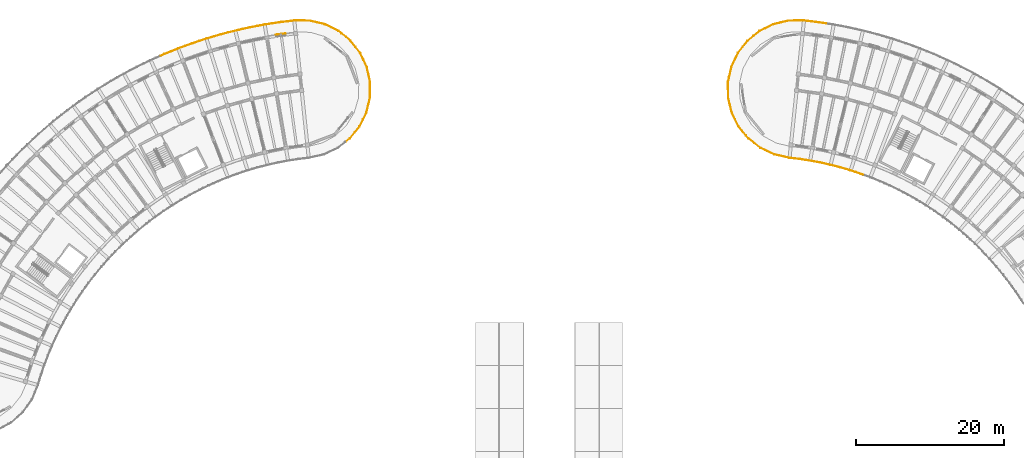
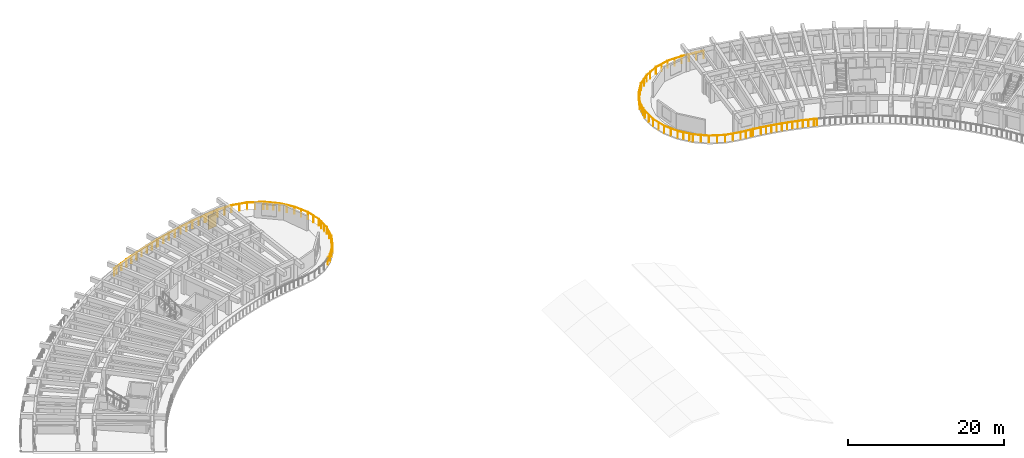
# One storey, part 87 of 96: 10 railings, 1 shading device.
"""IFC4 building model written with IfcOpenShell, lengths in metres."""

from ifc_helpers import new_model, si_unit, direction, frame, origin, origin_2d, place, context, subcontext, project, spatial, rectangle, circle, extrude, material, layer, layer_set, type_object, element, save


model = new_model("IFC4")

# Units and contexts
model_context = context("Model", 3, precision=1e-05, world=origin(), true_north=direction((0.0, 1.0)))
body_context = subcontext(model_context, "Body", "Model", "MODEL_VIEW")
ifc_project = project(units=[si_unit("LENGTHUNIT", "METRE"), si_unit("AREAUNIT", "SQUARE_METRE"), si_unit("VOLUMEUNIT", "CUBIC_METRE"), si_unit("PLANEANGLEUNIT", "RADIAN"), si_unit("MASSUNIT", "GRAM", prefix="KILO")], contexts=[model_context])

# Site, building, storey
site_placement = place(None, origin())
site = spatial("IfcSite", under=ifc_project, at=site_placement, CompositionType="ELEMENT")
building_placement = place(site_placement, origin())
building = spatial("IfcBuilding", under=site, at=building_placement, Name="Tanwirah Colonnade Gardens", CompositionType="ELEMENT")
storey_placement = place(building_placement, frame((0.0, 0.0, 12.199951171875)))
storey = spatial("IfcBuildingStorey", under=building, at=storey_placement, Name="L03", CompositionType="ELEMENT", Elevation=12.199951171875)

# Railings
ifc_material_1 = material(Name="Precast concrete C40/50", Category="concrete")
railing_type = type_object("IfcRailingType", Name="BAL-EXT112", PredefinedType="BALUSTRADE", material=ifc_material_1)
railing_1_placement = place(storey_placement, frame((40.5517578125, 116.428466796875, 0.0)))
element("IfcRailing", 1, at=railing_1_placement, inside=storey, type_object=railing_type, Name="Block A L03 Balcony Ribbon Balustrade 17", PredefinedType="BALUSTRADE", context=body_context, shape_type="SweptSolid", body=[
    extrude(circle(Radius=0.02392578125, at=origin_2d()), frame((0.028564453125, 0.0126953125, 1.09619140625), z_axis=(0.914037447664, 0.405629811857, 0.0), x_axis=(-0.405629811857, 0.914037447664, 0.0)), (0.0, 0.0, 1.0), 0.471923828125),
    extrude(circle(Radius=0.02392578125, at=origin_2d()), frame((0.517578125, 0.228515625, 1.09619140625), z_axis=(0.926784720453, 0.375592973757, 0.0), x_axis=(-0.375592973757, 0.926784720453, 0.0)), (0.0, 0.0, 1.0), 1.958984375),
    extrude(circle(Radius=0.02392578125, at=origin_2d()), frame((2.391357421875, 0.98681640625, 1.09619140625), z_axis=(0.938723993457, 0.344669789956, 0.0), x_axis=(-0.344669789956, 0.938723993457, 0.0)), (0.0, 0.0, 1.0), 1.958984375),
    extrude(circle(Radius=0.02392578125, at=origin_2d()), frame((4.28955078125, 1.6826171875, 1.09619140625), z_axis=(0.949537316482, 0.313654084317, 0.0), x_axis=(-0.313654084317, 0.949537316482, 0.0)), (0.0, 0.0, 1.0), 1.958984375),
    extrude(circle(Radius=0.02392578125, at=origin_2d()), frame((6.209228515625, 2.315673828125, 1.09619140625), z_axis=(0.9593675466, 0.282159370801, 0.0), x_axis=(-0.282159370801, 0.9593675466, 0.0)), (0.0, 0.0, 1.0), 1.83837890625),
    extrude(circle(Radius=0.02099609375, at=origin_2d()), origin(), (0.0, 0.0, 1.0), 1.069091796875),
    extrude(circle(Radius=0.02099609375, at=origin_2d()), frame((0.488525390625, 0.216796875, 0.0)), (0.0, 0.0, 1.0), 1.069091796875),
    extrude(circle(Radius=0.02099609375, at=origin_2d()), frame((1.42529296875, 0.596435546875, 0.0)), (0.0, 0.0, 1.0), 1.069091796875),
    extrude(circle(Radius=0.02099609375, at=origin_2d()), frame((2.362060546875, 0.97607421875, 0.0)), (0.0, 0.0, 1.0), 1.069091796875),
    extrude(circle(Radius=0.02099609375, at=origin_2d()), frame((3.31103515625, 1.324462890625, 0.0)), (0.0, 0.0, 1.0), 1.069091796875),
    extrude(circle(Radius=0.02099609375, at=origin_2d()), frame((4.259765625, 1.6728515625, 0.0)), (0.0, 0.0, 1.0), 1.069091796875),
    extrude(circle(Radius=0.02099609375, at=origin_2d()), frame((5.219482421875, 1.98974609375, 0.0)), (0.0, 0.0, 1.0), 1.069091796875),
    extrude(circle(Radius=0.02099609375, at=origin_2d()), frame((6.17919921875, 2.306884765625, 0.0)), (0.0, 0.0, 1.0), 1.069091796875),
    extrude(circle(Radius=0.02099609375, at=origin_2d()), frame((7.091064453125, 2.5751953125, 0.0)), (0.0, 0.0, 1.0), 1.069091796875),
    extrude(circle(Radius=0.02099609375, at=origin_2d()), frame((8.0029296875, 2.84326171875, 0.0)), (0.0, 0.0, 1.0), 1.069091796875),
])
railing_2_placement = place(storey_placement, frame((48.5546875, 119.271728515625, 0.0)))
element("IfcRailing", 2, at=railing_2_placement, inside=storey, type_object=railing_type, Name="Block A L03 Balcony Ribbon Balustrade 18", PredefinedType="BALUSTRADE", context=body_context, shape_type="SweptSolid", body=[
    extrude(circle(Radius=0.02392578125, at=origin_2d()), frame((0.030029296875, 0.0087890625, 1.09619140625), z_axis=(0.959430074946, 0.281946681644, 0.0), x_axis=(-0.281946681644, 0.959430074946, 0.0)), (0.0, 0.0, 1.0), 0.057861328125),
    extrude(circle(Radius=0.02392578125, at=origin_2d()), frame((0.145751953125, 0.041748046875, 1.09619140625), z_axis=(0.968157509899, 0.250341838346, 0.0), x_axis=(-0.250341838346, 0.968157509899, 0.0)), (0.0, 0.0, 1.0), 1.959228515625),
    extrude(circle(Radius=0.02392578125, at=origin_2d()), frame((2.103271484375, 0.546875, 1.09619140625), z_axis=(0.975867729966, 0.218362482151, 0.0), x_axis=(-0.218362482151, 0.975867729966, 0.0)), (0.0, 0.0, 1.0), 1.958984375),
    extrude(circle(Radius=0.02392578125, at=origin_2d()), frame((4.076171875, 0.9873046875, 1.09619140625), z_axis=(0.982549371225, 0.186001970705, 0.0), x_axis=(-0.186001970705, 0.982549371225, 0.0)), (0.0, 0.0, 1.0), 1.958740234375),
    extrude(circle(Radius=0.02392578125, at=origin_2d()), frame((6.0625, 1.3623046875, 1.09619140625), z_axis=(0.988130323653, 0.153617913919, 0.0), x_axis=(-0.153617913919, 0.988130323653, 0.0)), (0.0, 0.0, 1.0), 1.958984375),
    extrude(circle(Radius=0.02392578125, at=origin_2d()), frame((8.06005859375, 1.671630859375, 1.09619140625), z_axis=(0.992706670136, 0.120554830125, 0.0), x_axis=(-0.120554830125, 0.992706670136, 0.0)), (0.0, 0.0, 1.0), 0.231201171875),
    extrude(circle(Radius=0.02099609375, at=origin_2d()), origin(), (0.0, 0.0, 1.0), 1.069091796875),
    extrude(circle(Radius=0.02099609375, at=origin_2d()), frame((0.115478515625, 0.033935546875, 0.0)), (0.0, 0.0, 1.0), 1.069091796875),
    extrude(circle(Radius=0.02099609375, at=origin_2d()), frame((1.09423828125, 0.287109375, 0.0)), (0.0, 0.0, 1.0), 1.069091796875),
    extrude(circle(Radius=0.02099609375, at=origin_2d()), frame((2.07275390625, 0.5400390625, 0.0)), (0.0, 0.0, 1.0), 1.069091796875),
    extrude(circle(Radius=0.02099609375, at=origin_2d()), frame((3.05908203125, 0.7607421875, 0.0)), (0.0, 0.0, 1.0), 1.069091796875),
    extrude(circle(Radius=0.02099609375, at=origin_2d()), frame((4.04541015625, 0.9814453125, 0.0)), (0.0, 0.0, 1.0), 1.069091796875),
    extrude(circle(Radius=0.02099609375, at=origin_2d()), frame((5.03857421875, 1.16943359375, 0.0)), (0.0, 0.0, 1.0), 1.069091796875),
    extrude(circle(Radius=0.02099609375, at=origin_2d()), frame((6.031494140625, 1.357421875, 0.0)), (0.0, 0.0, 1.0), 1.069091796875),
    extrude(circle(Radius=0.02099609375, at=origin_2d()), frame((7.0302734375, 1.5126953125, 0.0)), (0.0, 0.0, 1.0), 1.069091796875),
    extrude(circle(Radius=0.02099609375, at=origin_2d()), frame((8.029052734375, 1.66796875, 0.0)), (0.0, 0.0, 1.0), 1.069091796875),
    extrude(circle(Radius=0.02099609375, at=origin_2d()), frame((8.320556640625, 1.703369140625, 0.0)), (0.0, 0.0, 1.0), 1.069091796875),
])
railing_3_placement = place(storey_placement, frame((56.875244140625, 120.97509765625, 0.0)))
element("IfcRailing", 3, at=railing_3_placement, inside=storey, type_object=railing_type, Name="Block A L03 Balcony Ribbon Balustrade 19", PredefinedType="BALUSTRADE", context=body_context, shape_type="SweptSolid", body=[
    extrude(circle(Radius=0.02392578125, at=origin_2d()), frame((0.031005859375, 0.003662109375, 1.09619140625), z_axis=(0.992658739514, 0.120948860543, 0.0), x_axis=(-0.120948860543, 0.992658739514, 0.0)), (0.0, 0.0, 1.0), 1.661376953125),
    extrude(circle(Radius=0.02392578125, at=origin_2d()), frame((1.742431640625, 0.208251953125, 1.09619140625), z_axis=(0.999972077233, -0.00747293472, 0.0), x_axis=(0.00747293472, 0.999972077233, 0.0)), (0.0, 0.0, 1.0), 2.0283203125),
    extrude(circle(Radius=0.02392578125, at=origin_2d()), frame((3.83251953125, 0.185791015625, 1.09619140625), z_axis=(0.973245052386, -0.229769597654, 0.0), x_axis=(0.229769597654, 0.973245052386, 0.0)), (0.0, 0.0, 1.0), 2.0244140625),
    extrude(circle(Radius=0.02392578125, at=origin_2d()), frame((5.861083984375, -0.30029296875, 1.09619140625), z_axis=(0.89767854763, -0.440650910727, 0.0), x_axis=(0.440650910727, 0.89767854763, 0.0)), (0.0, 0.0, 1.0), 2.024658203125),
    extrude(circle(Radius=0.02392578125, at=origin_2d()), frame((7.73095703125, -1.22607421875, 1.09619140625), z_axis=(0.777222634712, -0.62922569567, 0.0), x_axis=(0.62922569567, 0.777222634712, 0.0)), (0.0, 0.0, 1.0), 0.448974609375),
    extrude(circle(Radius=0.02099609375, at=origin_2d()), origin(), (0.0, 0.0, 1.0), 1.069091796875),
    extrude(circle(Radius=0.02099609375, at=origin_2d()), frame((0.85546875, 0.104248046875, 0.0)), (0.0, 0.0, 1.0), 1.069091796875),
    extrude(circle(Radius=0.02099609375, at=origin_2d()), frame((1.711181640625, 0.20849609375, 0.0)), (0.0, 0.0, 1.0), 1.069091796875),
    extrude(circle(Radius=0.02099609375, at=origin_2d()), frame((2.756591796875, 0.20068359375, 0.0)), (0.0, 0.0, 1.0), 1.069091796875),
    extrude(circle(Radius=0.02099609375, at=origin_2d()), frame((3.802001953125, 0.19287109375, 0.0)), (0.0, 0.0, 1.0), 1.069091796875),
    extrude(circle(Radius=0.02099609375, at=origin_2d()), frame((4.8173828125, -0.046875, 0.0)), (0.0, 0.0, 1.0), 1.069091796875),
    extrude(circle(Radius=0.02099609375, at=origin_2d()), frame((5.8330078125, -0.28662109375, 0.0)), (0.0, 0.0, 1.0), 1.069091796875),
    extrude(circle(Radius=0.02099609375, at=origin_2d()), frame((6.769775390625, -0.74658203125, 0.0)), (0.0, 0.0, 1.0), 1.069091796875),
    extrude(circle(Radius=0.02099609375, at=origin_2d()), frame((7.70654296875, -1.206298828125, 0.0)), (0.0, 0.0, 1.0), 1.069091796875),
    extrude(circle(Radius=0.02099609375, at=origin_2d()), frame((8.10400390625, -1.528076171875, 0.0)), (0.0, 0.0, 1.0), 1.069091796875),
])
railing_4_placement = place(storey_placement, frame((64.979248046875, 119.447021484375, 0.0)))
element("IfcRailing", 4, at=railing_4_placement, inside=storey, type_object=railing_type, Name="Block A L03 Balcony Ribbon Balustrade 20", PredefinedType="BALUSTRADE", context=body_context, shape_type="SweptSolid", body=[
    extrude(circle(Radius=0.02392578125, at=origin_2d()), frame((0.0244140625, -0.019775390625, 1.09619140625), z_axis=(0.777151033754, -0.629314127233, 0.0), x_axis=(0.629314127233, 0.777151033754, 0.0)), (0.0, 0.0, 1.0), 1.512939453125),
    extrude(circle(Radius=0.02392578125, at=origin_2d()), frame((1.24365234375, -1.01611328125, 1.09619140625), z_axis=(0.617578689713, -0.786509098493, 0.0), x_axis=(0.786509098493, 0.617578689713, 0.0)), (0.0, 0.0, 1.0), 2.0244140625),
    extrude(circle(Radius=0.02392578125, at=origin_2d()), frame((2.526611328125, -2.6611328125, 1.09619140625), z_axis=(0.427120558346, -0.904194685142, 0.0), x_axis=(0.904194685142, 0.427120558346, 0.0)), (0.0, 0.0, 1.0), 2.0244140625),
    extrude(circle(Radius=0.02392578125, at=origin_2d()), frame((3.411376953125, -4.55029296875, 1.09619140625), z_axis=(0.215270196259, -0.97655452618, 0.0), x_axis=(0.97655452618, 0.215270196259, 0.0)), (0.0, 0.0, 1.0), 2.024169921875),
    extrude(circle(Radius=0.02392578125, at=origin_2d()), frame((3.853515625, -6.5888671875, 1.09619140625), z_axis=(-0.007720358143, -0.999970197591, 0.0), x_axis=(0.999970197591, -0.007720358143, 0.0)), (0.0, 0.0, 1.0), 0.6015625),
    extrude(circle(Radius=0.02099609375, at=origin_2d()), origin(), (0.0, 0.0, 1.0), 1.069091796875),
    extrude(circle(Radius=0.02099609375, at=origin_2d()), frame((0.6123046875, -0.49560546875, 0.0)), (0.0, 0.0, 1.0), 1.069091796875),
    extrude(circle(Radius=0.02099609375, at=origin_2d()), frame((1.224365234375, -0.991455078125, 0.0)), (0.0, 0.0, 1.0), 1.069091796875),
    extrude(circle(Radius=0.02099609375, at=origin_2d()), frame((1.86865234375, -1.81201171875, 0.0)), (0.0, 0.0, 1.0), 1.069091796875),
    extrude(circle(Radius=0.02099609375, at=origin_2d()), frame((2.51318359375, -2.6328125, 0.0)), (0.0, 0.0, 1.0), 1.069091796875),
    extrude(circle(Radius=0.02099609375, at=origin_2d()), frame((2.958984375, -3.576171875, 0.0)), (0.0, 0.0, 1.0), 1.069091796875),
    extrude(circle(Radius=0.02099609375, at=origin_2d()), frame((3.404541015625, -4.519775390625, 0.0)), (0.0, 0.0, 1.0), 1.069091796875),
    extrude(circle(Radius=0.02099609375, at=origin_2d()), frame((3.629150390625, -5.53857421875, 0.0)), (0.0, 0.0, 1.0), 1.069091796875),
    extrude(circle(Radius=0.02099609375, at=origin_2d()), frame((3.853759765625, -6.5576171875, 0.0)), (0.0, 0.0, 1.0), 1.069091796875),
    extrude(circle(Radius=0.02099609375, at=origin_2d()), frame((3.8486328125, -7.2216796875, 0.0)), (0.0, 0.0, 1.0), 1.069091796875),
])
railing_5_placement = place(storey_placement, frame((68.827880859375, 112.225341796875, 0.0)))
element("IfcRailing", 5, at=railing_5_placement, inside=storey, type_object=railing_type, Name="Block A L03 Balcony Ribbon Balustrade 21", PredefinedType="BALUSTRADE", context=body_context, shape_type="SweptSolid", body=[
    extrude(circle(Radius=0.02392578125, at=origin_2d()), frame((-0.000244140625, -0.03125, 1.09619140625), z_axis=(-0.007377973514, -0.999972782383, 0.0), x_axis=(0.999972782383, -0.007377973514, 0.0)), (0.0, 0.0, 1.0), 1.3603515625),
    extrude(circle(Radius=0.02392578125, at=origin_2d()), frame((-0.017578125, -1.453369140625, 1.09619140625), z_axis=(-0.229769597654, -0.973245052386, 0.0), x_axis=(0.973245052386, -0.229769597654, 0.0)), (0.0, 0.0, 1.0), 2.0244140625),
    extrude(circle(Radius=0.02392578125, at=origin_2d()), frame((-0.503662109375, -3.48193359375, 1.09619140625), z_axis=(-0.440650910727, -0.89767854763, 0.0), x_axis=(0.89767854763, -0.440650910727, 0.0)), (0.0, 0.0, 1.0), 2.024658203125),
    extrude(circle(Radius=0.02392578125, at=origin_2d()), frame((-1.429443359375, -5.351806640625, 1.09619140625), z_axis=(-0.629292457571, -0.777168580711, 0.0), x_axis=(0.777168580711, -0.629292457571, 0.0)), (0.0, 0.0, 1.0), 2.0244140625),
    extrude(circle(Radius=0.02392578125, at=origin_2d()), frame((-2.74755859375, -6.968505859375, 1.09619140625), z_axis=(-0.786525843464, -0.617557363784, 0.0), x_axis=(0.617557363784, -0.786525843464, 0.0)), (0.0, 0.0, 1.0), 0.75390625),
    extrude(circle(Radius=0.02099609375, at=origin_2d()), origin(), (0.0, 0.0, 1.0), 1.069091796875),
    extrude(circle(Radius=0.02099609375, at=origin_2d()), frame((-0.00537109375, -0.71142578125, 0.0)), (0.0, 0.0, 1.0), 1.069091796875),
    extrude(circle(Radius=0.02099609375, at=origin_2d()), frame((-0.010498046875, -1.4228515625, 0.0)), (0.0, 0.0, 1.0), 1.069091796875),
    extrude(circle(Radius=0.02099609375, at=origin_2d()), frame((-0.250244140625, -2.4384765625, 0.0)), (0.0, 0.0, 1.0), 1.069091796875),
    extrude(circle(Radius=0.02099609375, at=origin_2d()), frame((-0.489990234375, -3.453857421875, 0.0)), (0.0, 0.0, 1.0), 1.069091796875),
    extrude(circle(Radius=0.02099609375, at=origin_2d()), frame((-0.94970703125, -4.390625, 0.0)), (0.0, 0.0, 1.0), 1.069091796875),
    extrude(circle(Radius=0.02099609375, at=origin_2d()), frame((-1.40966796875, -5.327392578125, 0.0)), (0.0, 0.0, 1.0), 1.069091796875),
    extrude(circle(Radius=0.02099609375, at=origin_2d()), frame((-2.06640625, -6.13818359375, 0.0)), (0.0, 0.0, 1.0), 1.069091796875),
    extrude(circle(Radius=0.02099609375, at=origin_2d()), frame((-2.722900390625, -6.94921875, 0.0)), (0.0, 0.0, 1.0), 1.069091796875),
    extrude(circle(Radius=0.02099609375, at=origin_2d()), frame((-3.364990234375, -7.453369140625, 0.0)), (0.0, 0.0, 1.0), 1.069091796875),
])
railing_6_placement = place(storey_placement, frame((135.417236328125, 100.3662109375, 0.0)))
element("IfcRailing", 6, at=railing_6_placement, inside=storey, type_object=railing_type, Name="Block B L03 Balcony Ribbon Balustrade 6", PredefinedType="BALUSTRADE", context=body_context, shape_type="SweptSolid", body=[
    extrude(circle(Radius=0.02392578125, at=origin_2d()), frame((-0.029296875, 0.0107421875, 1.09619140625), z_axis=(-0.938686381743, 0.344772209916, 0.0), x_axis=(-0.344772209916, -0.938686381743, 0.0)), (0.0, 0.0, 1.0), 0.325439453125),
    extrude(circle(Radius=0.02392578125, at=origin_2d()), frame((-0.396728515625, 0.14453125, 1.09619140625), z_axis=(-0.949531842797, 0.313670654533, 0.0), x_axis=(-0.313670654533, -0.949531842797, 0.0)), (0.0, 0.0, 1.0), 1.341552734375),
    extrude(circle(Radius=0.02392578125, at=origin_2d()), frame((-1.73291015625, 0.584716796875, 1.09619140625), z_axis=(-0.959362733044, 0.282175736812, 0.0), x_axis=(-0.282175736812, -0.959362733044, 0.0)), (0.0, 0.0, 1.0), 1.341796875),
    extrude(circle(Radius=0.02392578125, at=origin_2d()), frame((-3.0830078125, 0.980712890625, 1.09619140625), z_axis=(-0.968157809477, 0.250340679771, 0.0), x_axis=(-0.250340679771, -0.968157809477, 0.0)), (0.0, 0.0, 1.0), 1.341796875),
    extrude(circle(Radius=0.02392578125, at=origin_2d()), frame((-4.4453125, 1.33203125, 1.09619140625), z_axis=(-0.975875211082, 0.218329046156, 0.0), x_axis=(-0.218329046156, -0.975875211082, 0.0)), (0.0, 0.0, 1.0), 1.342041015625),
    extrude(circle(Radius=0.02392578125, at=origin_2d()), frame((-5.818603515625, 1.63818359375, 1.09619140625), z_axis=(-0.982547926195, 0.186009603862, 0.0), x_axis=(-0.186009603862, -0.982547926195, 0.0)), (0.0, 0.0, 1.0), 1.341796875),
    extrude(circle(Radius=0.02392578125, at=origin_2d()), frame((-7.201416015625, 1.89892578125, 1.09619140625), z_axis=(-0.988128738312, 0.153628111108, 0.0), x_axis=(-0.153628111108, -0.988128738312, 0.0)), (0.0, 0.0, 1.0), 1.01171875),
    extrude(circle(Radius=0.02099609375, at=origin_2d()), origin(), (0.0, 0.0, 1.0), 1.069091796875),
    extrude(circle(Radius=0.02099609375, at=origin_2d()), frame((-0.3642578125, 0.1337890625, 0.0)), (0.0, 0.0, 1.0), 1.069091796875),
    extrude(circle(Radius=0.02099609375, at=origin_2d()), frame((-1.03369140625, 0.35498046875, 0.0)), (0.0, 0.0, 1.0), 1.069091796875),
    extrude(circle(Radius=0.02099609375, at=origin_2d()), frame((-1.7001953125, 0.5751953125, 0.0)), (0.0, 0.0, 1.0), 1.069091796875),
    extrude(circle(Radius=0.02099609375, at=origin_2d()), frame((-2.37646484375, 0.77392578125, 0.0)), (0.0, 0.0, 1.0), 1.069091796875),
    extrude(circle(Radius=0.02099609375, at=origin_2d()), frame((-3.050048828125, 0.97216796875, 0.0)), (0.0, 0.0, 1.0), 1.069091796875),
    extrude(circle(Radius=0.02099609375, at=origin_2d()), frame((-3.732421875, 1.148681640625, 0.0)), (0.0, 0.0, 1.0), 1.069091796875),
    extrude(circle(Radius=0.02099609375, at=origin_2d()), frame((-4.412353515625, 1.324462890625, 0.0)), (0.0, 0.0, 1.0), 1.069091796875),
    extrude(circle(Radius=0.02099609375, at=origin_2d()), frame((-5.10009765625, 1.478515625, 0.0)), (0.0, 0.0, 1.0), 1.069091796875),
    extrude(circle(Radius=0.02099609375, at=origin_2d()), frame((-5.785400390625, 1.6318359375, 0.0)), (0.0, 0.0, 1.0), 1.069091796875),
    extrude(circle(Radius=0.02099609375, at=origin_2d()), frame((-6.477783203125, 1.762939453125, 0.0)), (0.0, 0.0, 1.0), 1.069091796875),
    extrude(circle(Radius=0.02099609375, at=origin_2d()), frame((-7.167724609375, 1.8935546875, 0.0)), (0.0, 0.0, 1.0), 1.069091796875),
    extrude(circle(Radius=0.02099609375, at=origin_2d()), frame((-8.23193359375, 2.05908203125, 0.0)), (0.0, 0.0, 1.0), 1.069091796875),
])
railing_7_placement = place(storey_placement, frame((127.185302734375, 102.42529296875, 0.0)))
element("IfcRailing", 7, at=railing_7_placement, inside=storey, type_object=railing_type, Name="Block B L03 Balcony Ribbon Balustrade 7", PredefinedType="BALUSTRADE", context=body_context, shape_type="SweptSolid", body=[
    extrude(circle(Radius=0.02392578125, at=origin_2d()), frame((-0.031005859375, 0.0048828125, 1.09619140625), z_axis=(-0.988208661011, 0.153113168285, 0.0), x_axis=(-0.153113168285, -0.988208661011, 0.0)), (0.0, 0.0, 1.0), 0.267578125),
    extrude(circle(Radius=0.02392578125, at=origin_2d()), frame((-0.359619140625, 0.0546875, 1.09619140625), z_axis=(-0.99267751715, 0.120794647829, 0.0), x_axis=(-0.120794647829, -0.99267751715, 0.0)), (0.0, 0.0, 1.0), 1.338134765625),
    extrude(circle(Radius=0.02392578125, at=origin_2d()), frame((-1.74951171875, 0.22705078125, 1.09619140625), z_axis=(-0.976545428659, 0.215311462222, 0.0), x_axis=(-0.215311462222, -0.976545428659, 0.0)), (0.0, 0.0, 1.0), 2.029541015625),
    extrude(circle(Radius=0.02392578125, at=origin_2d()), frame((-3.790283203125, 0.68408203125, 1.09619140625), z_axis=(-0.904194685142, 0.427120558346, 0.0), x_axis=(-0.427120558346, -0.904194685142, 0.0)), (0.0, 0.0, 1.0), 2.0244140625),
    extrude(circle(Radius=0.02392578125, at=origin_2d()), frame((-5.673583984375, 1.581298828125, 1.09619140625), z_axis=(-0.786509098493, 0.617578689713, 0.0), x_axis=(-0.617578689713, -0.786509098493, 0.0)), (0.0, 0.0, 1.0), 2.0244140625),
    extrude(circle(Radius=0.02392578125, at=origin_2d()), frame((-7.31005859375, 2.875244140625, 1.09619140625), z_axis=(-0.62914215078, 0.777290263744, 0.0), x_axis=(-0.777290263744, -0.62914215078, 0.0)), (0.0, 0.0, 1.0), 0.4384765625),
    extrude(circle(Radius=0.02099609375, at=origin_2d()), origin(), (0.0, 0.0, 1.0), 1.069091796875),
    extrude(circle(Radius=0.02099609375, at=origin_2d()), frame((-0.326171875, 0.050537109375, 0.0)), (0.0, 0.0, 1.0), 1.069091796875),
    extrude(circle(Radius=0.02099609375, at=origin_2d()), frame((-1.02392578125, 0.1357421875, 0.0)), (0.0, 0.0, 1.0), 1.069091796875),
    extrude(circle(Radius=0.02099609375, at=origin_2d()), frame((-1.718994140625, 0.22021484375, 0.0)), (0.0, 0.0, 1.0), 1.069091796875),
    extrude(circle(Radius=0.02099609375, at=origin_2d()), frame((-2.740478515625, 0.4453125, 0.0)), (0.0, 0.0, 1.0), 1.069091796875),
    extrude(circle(Radius=0.02099609375, at=origin_2d()), frame((-3.761962890625, 0.670654296875, 0.0)), (0.0, 0.0, 1.0), 1.069091796875),
    extrude(circle(Radius=0.02099609375, at=origin_2d()), frame((-4.70556640625, 1.1162109375, 0.0)), (0.0, 0.0, 1.0), 1.069091796875),
    extrude(circle(Radius=0.02099609375, at=origin_2d()), frame((-5.64892578125, 1.56201171875, 0.0)), (0.0, 0.0, 1.0), 1.069091796875),
    extrude(circle(Radius=0.02099609375, at=origin_2d()), frame((-6.4697265625, 2.20654296875, 0.0)), (0.0, 0.0, 1.0), 1.069091796875),
    extrude(circle(Radius=0.02099609375, at=origin_2d()), frame((-7.290283203125, 2.850830078125, 0.0)), (0.0, 0.0, 1.0), 1.069091796875),
    extrude(circle(Radius=0.02099609375, at=origin_2d()), frame((-7.60546875, 3.240234375, 0.0)), (0.0, 0.0, 1.0), 1.069091796875),
])
railing_8_placement = place(storey_placement, frame((119.579833984375, 105.66552734375, 0.0)))
element("IfcRailing", 8, at=railing_8_placement, inside=storey, type_object=railing_type, Name="Block B L03 Balcony Ribbon Balustrade 8", PredefinedType="BALUSTRADE", context=body_context, shape_type="SweptSolid", body=[
    extrude(circle(Radius=0.02392578125, at=origin_2d()), frame((-0.019775390625, 0.0244140625, 1.09619140625), z_axis=(-0.629339934839, 0.777130134801, 0.0), x_axis=(-0.777130134801, -0.629339934839, 0.0)), (0.0, 0.0, 1.0), 1.5234375),
    extrude(circle(Radius=0.02392578125, at=origin_2d()), frame((-1.01171875, 1.260498046875, 1.09619140625), z_axis=(-0.440650910727, 0.89767854763, 0.0), x_axis=(-0.89767854763, -0.440650910727, 0.0)), (0.0, 0.0, 1.0), 2.024658203125),
    extrude(circle(Radius=0.02392578125, at=origin_2d()), frame((-1.9248046875, 3.136474609375, 1.09619140625), z_axis=(-0.229769597654, 0.973245052386, 0.0), x_axis=(-0.973245052386, -0.229769597654, 0.0)), (0.0, 0.0, 1.0), 2.0244140625),
    extrude(circle(Radius=0.02392578125, at=origin_2d()), frame((-2.3974609375, 5.168212890625, 1.09619140625), z_axis=(-0.007486921648, 0.999971972609, 0.0), x_axis=(-0.999971972609, -0.007486921648, 0.0)), (0.0, 0.0, 1.0), 2.0244140625),
    extrude(circle(Radius=0.02392578125, at=origin_2d()), frame((-2.406005859375, 7.25439453125, 1.09619140625), z_axis=(0.215268146696, 0.97655497798, 0.0), x_axis=(-0.97655497798, 0.215268146696, 0.0)), (0.0, 0.0, 1.0), 0.5908203125),
    extrude(circle(Radius=0.02099609375, at=origin_2d()), origin(), (0.0, 0.0, 1.0), 1.069091796875),
    extrude(circle(Radius=0.02099609375, at=origin_2d()), frame((-0.4990234375, 0.6162109375, 0.0)), (0.0, 0.0, 1.0), 1.069091796875),
    extrude(circle(Radius=0.02099609375, at=origin_2d()), frame((-0.998046875, 1.232421875, 0.0)), (0.0, 0.0, 1.0), 1.069091796875),
    extrude(circle(Radius=0.02099609375, at=origin_2d()), frame((-1.4580078125, 2.169189453125, 0.0)), (0.0, 0.0, 1.0), 1.069091796875),
    extrude(circle(Radius=0.02099609375, at=origin_2d()), frame((-1.917724609375, 3.10595703125, 0.0)), (0.0, 0.0, 1.0), 1.069091796875),
    extrude(circle(Radius=0.02099609375, at=origin_2d()), frame((-2.157470703125, 4.12158203125, 0.0)), (0.0, 0.0, 1.0), 1.069091796875),
    extrude(circle(Radius=0.02099609375, at=origin_2d()), frame((-2.397216796875, 5.136962890625, 0.0)), (0.0, 0.0, 1.0), 1.069091796875),
    extrude(circle(Radius=0.02099609375, at=origin_2d()), frame((-2.405029296875, 6.180419921875, 0.0)), (0.0, 0.0, 1.0), 1.069091796875),
    extrude(circle(Radius=0.02099609375, at=origin_2d()), frame((-2.412841796875, 7.223876953125, 0.0)), (0.0, 0.0, 1.0), 1.069091796875),
    extrude(circle(Radius=0.02099609375, at=origin_2d()), frame((-2.272216796875, 7.86181640625, 0.0)), (0.0, 0.0, 1.0), 1.069091796875),
])
railing_9_placement = place(storey_placement, frame((117.3076171875, 113.52734375, 0.0)))
element("IfcRailing", 9, at=railing_9_placement, inside=storey, type_object=railing_type, Name="Block B L03 Balcony Ribbon Balustrade 9", PredefinedType="BALUSTRADE", context=body_context, shape_type="SweptSolid", body=[
    extrude(circle(Radius=0.02392578125, at=origin_2d()), frame((0.0068359375, 0.030517578125, 1.09619140625), z_axis=(0.215271130249, 0.976554320292, 0.0), x_axis=(-0.976554320292, 0.215271130249, 0.0)), (0.0, 0.0, 1.0), 1.37109375),
    extrude(circle(Radius=0.02392578125, at=origin_2d()), frame((0.322021484375, 1.42822265625, 1.09619140625), z_axis=(0.427120558346, 0.904194685142, 0.0), x_axis=(-0.904194685142, 0.427120558346, 0.0)), (0.0, 0.0, 1.0), 2.0244140625),
    extrude(circle(Radius=0.02392578125, at=origin_2d()), frame((1.21923828125, 3.3115234375, 1.09619140625), z_axis=(0.617578689713, 0.786509098493, 0.0), x_axis=(-0.786509098493, 0.617578689713, 0.0)), (0.0, 0.0, 1.0), 2.0244140625),
    extrude(circle(Radius=0.02392578125, at=origin_2d()), frame((2.51318359375, 4.947998046875, 1.09619140625), z_axis=(0.777168580711, 0.629292457571, 0.0), x_axis=(-0.629292457571, 0.777168580711, 0.0)), (0.0, 0.0, 1.0), 2.0244140625),
    extrude(circle(Radius=0.02392578125, at=origin_2d()), frame((4.138671875, 6.255126953125, 1.09619140625), z_axis=(0.897735153501, 0.440535576507, 0.0), x_axis=(-0.440535576507, 0.897735153501, 0.0)), (0.0, 0.0, 1.0), 0.7431640625),
    extrude(circle(Radius=0.02099609375, at=origin_2d()), origin(), (0.0, 0.0, 1.0), 1.069091796875),
    extrude(circle(Radius=0.02099609375, at=origin_2d()), frame((0.154296875, 0.699951171875, 0.0)), (0.0, 0.0, 1.0), 1.069091796875),
    extrude(circle(Radius=0.02099609375, at=origin_2d()), frame((0.30859375, 1.39990234375, 0.0)), (0.0, 0.0, 1.0), 1.069091796875),
    extrude(circle(Radius=0.02099609375, at=origin_2d()), frame((0.75439453125, 2.34326171875, 0.0)), (0.0, 0.0, 1.0), 1.069091796875),
    extrude(circle(Radius=0.02099609375, at=origin_2d()), frame((1.199951171875, 3.286865234375, 0.0)), (0.0, 0.0, 1.0), 1.069091796875),
    extrude(circle(Radius=0.02099609375, at=origin_2d()), frame((1.84423828125, 4.107421875, 0.0)), (0.0, 0.0, 1.0), 1.069091796875),
    extrude(circle(Radius=0.02099609375, at=origin_2d()), frame((2.48876953125, 4.92822265625, 0.0)), (0.0, 0.0, 1.0), 1.069091796875),
    extrude(circle(Radius=0.02099609375, at=origin_2d()), frame((3.2998046875, 5.5849609375, 0.0)), (0.0, 0.0, 1.0), 1.069091796875),
    extrude(circle(Radius=0.02099609375, at=origin_2d()), frame((4.110595703125, 6.241455078125, 0.0)), (0.0, 0.0, 1.0), 1.069091796875),
    extrude(circle(Radius=0.02099609375, at=origin_2d()), frame((4.833984375, 6.596435546875, 0.0)), (0.0, 0.0, 1.0), 1.069091796875),
])
railing_10_placement = place(storey_placement, frame((122.1416015625, 120.123779296875, 0.0)))
element("IfcRailing", 10, at=railing_10_placement, inside=storey, type_object=railing_type, Name="Block B L03 Balcony Ribbon Balustrade 10", PredefinedType="BALUSTRADE", context=body_context, shape_type="SweptSolid", body=[
    extrude(circle(Radius=0.02392578125, at=origin_2d()), frame((0.028076171875, 0.013671875, 1.09619140625), z_axis=(0.897642941236, 0.440723439414, 0.0), x_axis=(-0.440723439414, 0.897642941236, 0.0)), (0.0, 0.0, 1.0), 1.21875),
    extrude(circle(Radius=0.02392578125, at=origin_2d()), frame((1.1806640625, 0.57177734375, 1.09619140625), z_axis=(0.973245052386, 0.229769597654, 0.0), x_axis=(-0.229769597654, 0.973245052386, 0.0)), (0.0, 0.0, 1.0), 2.0244140625),
    extrude(circle(Radius=0.02392578125, at=origin_2d()), frame((3.21240234375, 1.04443359375, 1.09619140625), z_axis=(0.999972077233, 0.00747293472, 0.0), x_axis=(-0.00747293472, 0.999972077233, 0.0)), (0.0, 0.0, 1.0), 2.0283203125),
    extrude(circle(Radius=0.02392578125, at=origin_2d()), frame((5.302978515625, 1.05615234375, 1.09619140625), z_axis=(0.992665725565, -0.120891510403, 0.0), x_axis=(0.120891510403, 0.992665725565, 0.0)), (0.0, 0.0, 1.0), 1.955078125),
    extrude(circle(Radius=0.02392578125, at=origin_2d()), frame((7.3056640625, 0.81103515625, 1.09619140625), z_axis=(0.988133367747, -0.153598331844, 0.0), x_axis=(0.153598331844, 0.988133367747, 0.0)), (0.0, 0.0, 1.0), 0.961181640625),
    extrude(circle(Radius=0.02099609375, at=origin_2d()), origin(), (0.0, 0.0, 1.0), 1.069091796875),
    extrude(circle(Radius=0.02099609375, at=origin_2d()), frame((1.150146484375, 0.564697265625, 0.0)), (0.0, 0.0, 1.0), 1.069091796875),
    extrude(circle(Radius=0.02099609375, at=origin_2d()), frame((2.16552734375, 0.804443359375, 0.0)), (0.0, 0.0, 1.0), 1.069091796875),
    extrude(circle(Radius=0.02099609375, at=origin_2d()), frame((3.18115234375, 1.044189453125, 0.0)), (0.0, 0.0, 1.0), 1.069091796875),
    extrude(circle(Radius=0.02099609375, at=origin_2d()), frame((4.2265625, 1.052001953125, 0.0)), (0.0, 0.0, 1.0), 1.069091796875),
    extrude(circle(Radius=0.02099609375, at=origin_2d()), frame((5.27197265625, 1.059814453125, 0.0)), (0.0, 0.0, 1.0), 1.069091796875),
    extrude(circle(Radius=0.02099609375, at=origin_2d()), frame((6.2734375, 0.93798828125, 0.0)), (0.0, 0.0, 1.0), 1.069091796875),
    extrude(circle(Radius=0.02099609375, at=origin_2d()), frame((7.274658203125, 0.81591796875, 0.0)), (0.0, 0.0, 1.0), 1.069091796875),
    extrude(circle(Radius=0.02099609375, at=origin_2d()), frame((8.2861328125, 0.65869140625, 0.0)), (0.0, 0.0, 1.0), 1.069091796875),
])

# Shading device
ifc_material_2 = material(Name="Perforated architectural bronze aluminium", Category="aluminium")
ifc_layer = layer(ifc_material_2, 0.044921875)
ifc_layer_set = layer_set([ifc_layer], Name="Perforated architectural bronze aluminium")
shading_device_type = type_object("IfcShadingDeviceType", Name="SHD-MSH1", PredefinedType="JALOUSIE", material=ifc_layer_set)
shading_device_placement = place(storey_placement, frame((56.759033203125, 119.364013671875, 0.0), z_axis=(0.0, 0.0, 1.0), x_axis=(-0.990536278911, -0.137251157233, 0.0)))
element("IfcShadingDevice", 11, at=shading_device_placement, inside=storey, type_object=shading_device_type, Name="Bronze mashrabiya solar screen A-L03-00", PredefinedType="JALOUSIE", context=body_context, shape_type="SweptSolid", body=[
    extrude(rectangle(XDim=1.300048828125, YDim=0.044921875, at=origin_2d()), origin(), (0.0, 0.0, 1.0), 2.25),
])

save(model, "model.ifc")
